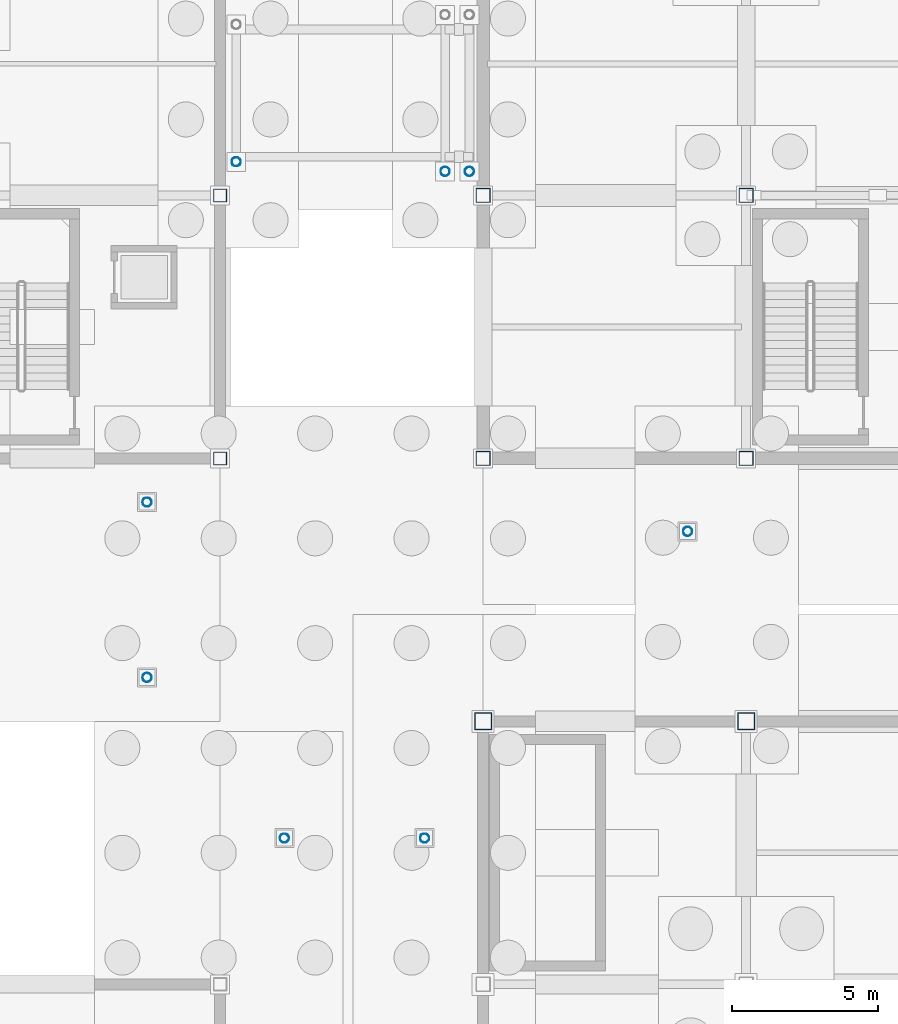
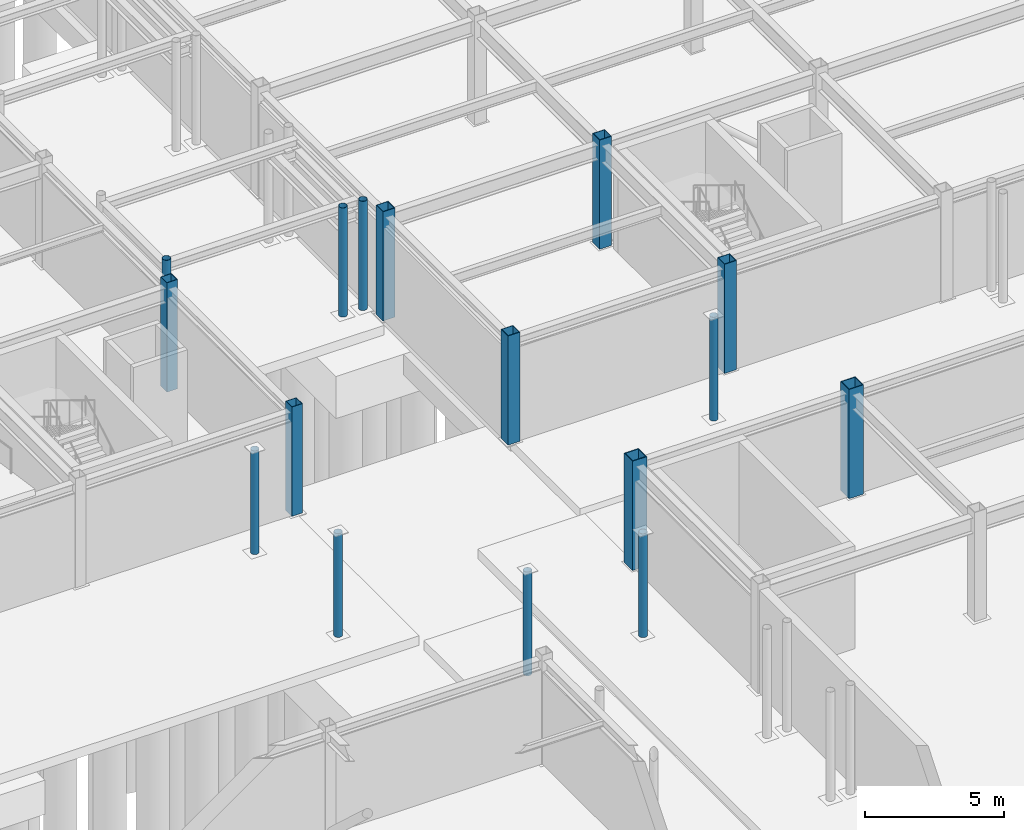
# One storey, part 25 of 74: 16 columns.
"""IFC4 building model written with IfcOpenShell, lengths in metres."""

from ifc_helpers import new_model, si_unit, direction, frame, origin, origin_2d, place, context, subcontext, project, spatial, hollow_rectangle, hollow_circle, extrude, material, material_profile, profile_set, type_object, element, save


model = new_model("IFC4")

# Units and contexts
model_context = context("Model", 3, precision=1e-05, world=origin(), true_north=direction((0.0, 1.0)))
body_context = subcontext(model_context, "Body", "Model", "MODEL_VIEW")
ifc_project = project(units=[si_unit("LENGTHUNIT", "METRE"), si_unit("AREAUNIT", "SQUARE_METRE"), si_unit("VOLUMEUNIT", "CUBIC_METRE"), si_unit("PLANEANGLEUNIT", "RADIAN"), si_unit("MASSUNIT", "GRAM", prefix="KILO")], contexts=[model_context])

# Site, building, storey
site_placement = place(None, origin())
site = spatial("IfcSite", under=ifc_project, at=site_placement, CompositionType="ELEMENT")
building_placement = place(site_placement, origin())
building = spatial("IfcBuilding", under=site, at=building_placement, Name="Suzunagisa Mobility Hub", CompositionType="ELEMENT")
storey_placement = place(building_placement, frame((0.0, 0.0, -4.800048828125)))
storey = spatial("IfcBuildingStorey", under=building, at=storey_placement, Name="B1", CompositionType="ELEMENT", Elevation=-4.800048828125)

# Columns
ifc_material = material(Name="Steel SN490B", Category="steel")
ifc_material_profile_1 = material_profile(ifc_material, hollow_rectangle(XDim=0.60009765625, YDim=0.60009765625, WallThickness=0.031982421875, at=origin_2d()), Name="BOX-600x600x32")
ifc_profile_set_1 = profile_set([ifc_material_profile_1], Name="Steel SN490B")
column_type_1 = type_object("IfcColumnType", Name="Steel Column CL-05 BOX-600x600x32", PredefinedType="COLUMN", material=ifc_profile_set_1)
for number, where, z_axis, x_axis, name in (
    (1, (45.0, 71.0, 0.0), (0.0, 0.0, 1.0), (1.0, 0.0, 0.0), "B1 Column 117"),
    (2, (54.0, 71.0, 0.0), (0.0, 0.0, 1.0), (1.0, 0.0, 0.0), "B1 Column 128"),
):
    element("IfcColumn", number, at=place(storey_placement, frame(where, z_axis=z_axis, x_axis=x_axis)), inside=storey, type_object=column_type_1, Name=name, PredefinedType="COLUMN", context=body_context, shape_type="SweptSolid", body=[
        extrude(hollow_rectangle(XDim=0.60009765625, YDim=0.60009765625, WallThickness=0.031982421875, at=origin_2d()), origin(), (0.0, 0.0, 1.0), 4.800048828125),
    ])
ifc_material_profile_2 = material_profile(ifc_material, hollow_circle(Radius=0.1591796875, WallThickness=0.01025390625, at=origin_2d()), Name="CHS-318.5x10.3")
ifc_profile_set_2 = profile_set([ifc_material_profile_2], Name="Steel SN490B")
column_type_2 = type_object("IfcColumnType", Name="Steel Column CL-09 CHS-318.5x10.3", PredefinedType="COLUMN", material=ifc_profile_set_2)
for number, where, z_axis, x_axis, name in (
    (3, (33.5, 72.5, 0.0), (0.0, 0.0, 1.0), (1.0, 0.0, 0.0), "B1 Column 75"),
    (4, (33.5, 78.5, 0.0), (0.0, 0.0, 1.0), (1.0, 0.0, 0.0), "B1 Column 76"),
):
    element("IfcColumn", number, at=place(storey_placement, frame(where, z_axis=z_axis, x_axis=x_axis)), inside=storey, type_object=column_type_2, Name=name, PredefinedType="COLUMN", context=body_context, shape_type="SweptSolid", body=[
        extrude(hollow_circle(Radius=0.1591796875, WallThickness=0.01025390625, at=origin_2d()), origin(), (0.0, 0.0, 1.0), 4.554931640625),
    ])
column_1_placement = place(storey_placement, frame((36.550048828125, 90.14990234375, 0.0), z_axis=(0.0, 0.0, 1.0), x_axis=(1.0, 0.0, 0.0)))
element("IfcColumn", 5, at=column_1_placement, inside=storey, type_object=column_type_2, Name="B1 Column 92", PredefinedType="COLUMN", context=body_context, shape_type="SweptSolid", body=[
    extrude(hollow_circle(Radius=0.1591796875, WallThickness=0.01025390625, at=origin_2d()), origin(), (0.0, 0.0, 1.0), 4.800048828125),
])
for number, where, z_axis, x_axis, name in (
    (6, (38.199951171875, 67.0, 0.0), (0.0, 0.0, 1.0), (1.0, 0.0, 0.0), "B1 Column 99"),
    (7, (43.0, 67.0, 0.0), (0.0, 0.0, 1.0), (1.0, 0.0, 0.0), "B1 Column 102"),
):
    element("IfcColumn", number, at=place(storey_placement, frame(where, z_axis=z_axis, x_axis=x_axis)), inside=storey, type_object=column_type_2, Name=name, PredefinedType="COLUMN", context=body_context, shape_type="SweptSolid", body=[
        extrude(hollow_circle(Radius=0.1591796875, WallThickness=0.01025390625, at=origin_2d()), origin(), (0.0, 0.0, 1.0), 4.554931640625),
    ])
for number, where, z_axis, x_axis, name in (
    (8, (43.699951171875, 89.820068359375, 0.0), (0.0, 0.0, 1.0), (1.0, 0.0, 0.0), "B1 Column 105"),
    (9, (44.530029296875, 89.820068359375, 0.0), (0.0, 0.0, 1.0), (1.0, 0.0, 0.0), "B1 Column 111"),
):
    element("IfcColumn", number, at=place(storey_placement, frame(where, z_axis=z_axis, x_axis=x_axis)), inside=storey, type_object=column_type_2, Name=name, PredefinedType="COLUMN", context=body_context, shape_type="SweptSolid", body=[
        extrude(hollow_circle(Radius=0.1591796875, WallThickness=0.01025390625, at=origin_2d()), origin(), (0.0, 0.0, 1.0), 4.800048828125),
    ])
column_2_placement = place(storey_placement, frame((52.0, 77.5, 0.0), z_axis=(0.0, 0.0, 1.0), x_axis=(1.0, 0.0, 0.0)))
element("IfcColumn", 10, at=column_2_placement, inside=storey, type_object=column_type_2, Name="B1 Column 124", PredefinedType="COLUMN", context=body_context, shape_type="SweptSolid", body=[
    extrude(hollow_circle(Radius=0.1591796875, WallThickness=0.01025390625, at=origin_2d()), origin(), (0.0, 0.0, 1.0), 4.554931640625),
])
ifc_material_profile_3 = material_profile(ifc_material, hollow_rectangle(XDim=0.5, YDim=0.5, WallThickness=0.02490234375, at=origin_2d()), Name="BCR-500x500x25")
ifc_profile_set_3 = profile_set([ifc_material_profile_3], Name="Steel SN490B")
column_type_3 = type_object("IfcColumnType", Name="Steel Column CL-11 BCR-500x500x25", PredefinedType="COLUMN", material=ifc_profile_set_3)
for number, where, z_axis, x_axis, name in (
    (11, (45.0, 80.0, 0.0), (0.0, 0.0, 1.0), (1.0, 0.0, 0.0), "B1 Column 118"),
    (12, (45.0, 89.0, 0.0), (0.0, 0.0, 1.0), (1.0, 0.0, 0.0), "B1 Column 119"),
    (13, (54.0, 80.0, 0.0), (0.0, 0.0, 1.0), (1.0, 0.0, 0.0), "B1 Column 129"),
    (14, (54.0, 89.0, 0.0), (0.0, 0.0, 1.0), (1.0, 0.0, 0.0), "B1 Column 130"),
):
    element("IfcColumn", number, at=place(storey_placement, frame(where, z_axis=z_axis, x_axis=x_axis)), inside=storey, type_object=column_type_3, Name=name, PredefinedType="COLUMN", context=body_context, shape_type="SweptSolid", body=[
        extrude(hollow_rectangle(XDim=0.5, YDim=0.5, WallThickness=0.02490234375, at=origin_2d()), origin(), (0.0, 0.0, 1.0), 4.800048828125),
    ])
ifc_material_profile_4 = material_profile(ifc_material, hollow_rectangle(XDim=0.449951171875, YDim=0.449951171875, WallThickness=0.02197265625, at=origin_2d()), Name="BCR-450x450x22")
ifc_profile_set_4 = profile_set([ifc_material_profile_4], Name="Steel SN490B")
column_type_4 = type_object("IfcColumnType", Name="Steel Column CL-17 BCR-450x450x22", PredefinedType="COLUMN", material=ifc_profile_set_4)
for number, where, z_axis, x_axis, name in (
    (15, (36.0, 80.0, 0.0), (0.0, 0.0, 1.0), (1.0, 0.0, 0.0), "B1 Column 85"),
    (16, (36.0, 89.0, 0.0), (0.0, 0.0, 1.0), (1.0, 0.0, 0.0), "B1 Column 86"),
):
    element("IfcColumn", number, at=place(storey_placement, frame(where, z_axis=z_axis, x_axis=x_axis)), inside=storey, type_object=column_type_4, Name=name, PredefinedType="COLUMN", context=body_context, shape_type="SweptSolid", body=[
        extrude(hollow_rectangle(XDim=0.449951171875, YDim=0.449951171875, WallThickness=0.02197265625, at=origin_2d()), origin(), (0.0, 0.0, 1.0), 4.800048828125),
    ])

save(model, "model.ifc")
